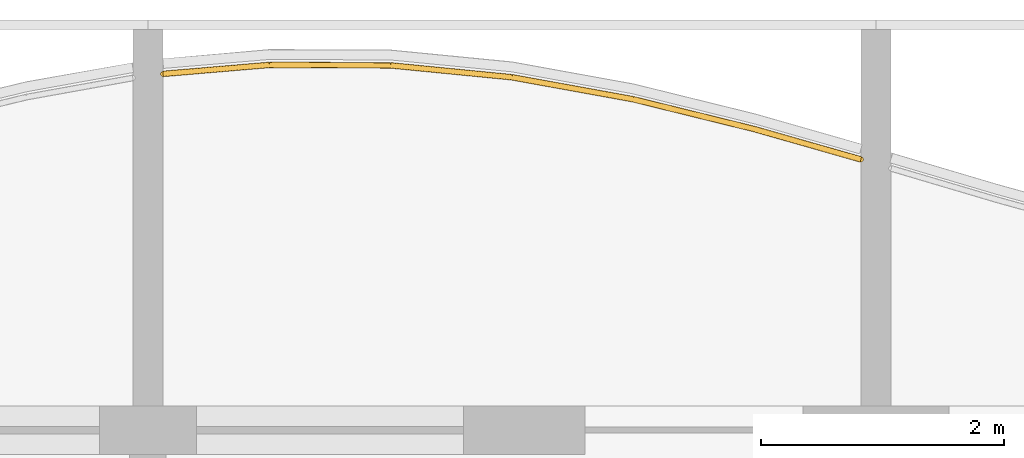
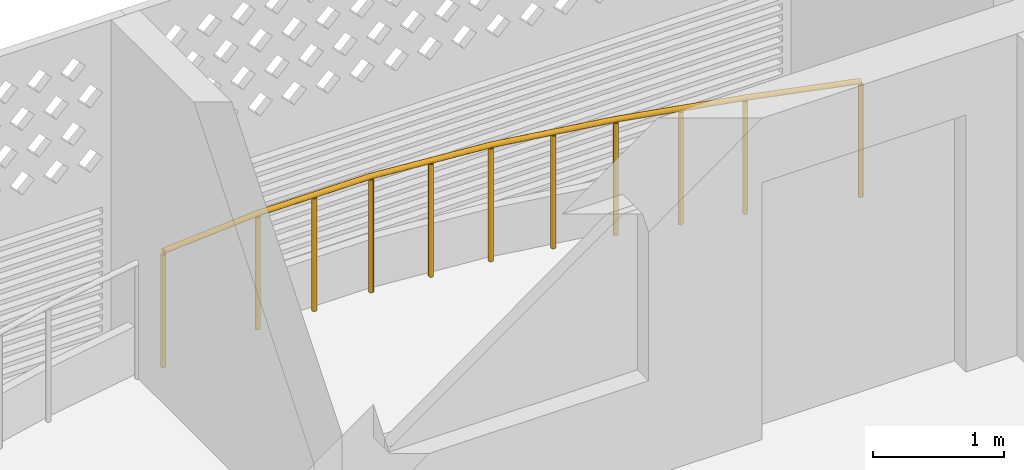
# One storey, part 19 of 32: 1 railing.
"""IFC4 building model written with IfcOpenShell, lengths in metres."""

from ifc_helpers import new_model, si_unit, direction, frame, origin, origin_2d, place, context, subcontext, project, spatial, circle, extrude, material, type_object, element, save


model = new_model("IFC4")

# Units and contexts
model_context = context("Model", 3, precision=1e-05, world=origin(), true_north=direction((0.0, 1.0)))
body_context = subcontext(model_context, "Body", "Model", "MODEL_VIEW")
ifc_project = project(units=[si_unit("LENGTHUNIT", "METRE"), si_unit("AREAUNIT", "SQUARE_METRE"), si_unit("VOLUMEUNIT", "CUBIC_METRE"), si_unit("PLANEANGLEUNIT", "RADIAN"), si_unit("MASSUNIT", "GRAM", prefix="KILO")], contexts=[model_context])

# Site, building, storey
site_placement = place(None, origin())
site = spatial("IfcSite", under=ifc_project, at=site_placement, CompositionType="ELEMENT")
building_placement = place(site_placement, origin())
building = spatial("IfcBuilding", under=site, at=building_placement, Name="Poui Terraces", CompositionType="ELEMENT")
storey_placement = place(building_placement, frame((0.0, 0.0, 155.39990234375)))
storey = spatial("IfcBuildingStorey", under=building, at=storey_placement, Name="L43", CompositionType="ELEMENT", Elevation=155.39990234375)

# Railing
ifc_material = material(Name="Painted steel fretwork", Category="steel")
railing_type = type_object("IfcRailingType", Name="BALCONY GUARD 1100", PredefinedType="GUARDRAIL", material=ifc_material)
railing_placement = place(storey_placement, frame((24.125, 45.3359375, 0.0)))
element("IfcRailing", 1, at=railing_placement, inside=storey, type_object=railing_type, Name="BALCONY GUARD", PredefinedType="GUARDRAIL", context=body_context, shape_type="SweptSolid", body=[
    extrude(circle(Radius=0.02392578125, at=origin_2d()), frame((0.0, 0.0, 1.076171875), z_axis=(0.996445334102, 0.08424189069, 0.0), x_axis=(-0.08424189069, 0.996445334102, 0.0)), (0.0, 0.0, 1.0), 0.878173828125),
    extrude(circle(Radius=0.02392578125, at=origin_2d()), frame((0.875, 0.073974609375, 1.076171875), z_axis=(0.999992370693, -0.003906220198, 0.0), x_axis=(0.003906220198, 0.999992370693, 0.0)), (0.0, 0.0, 1.0), 1.0),
    extrude(circle(Radius=0.02392578125, at=origin_2d()), frame((1.875, 0.070068359375, 1.076171875), z_axis=(0.995241932297, -0.097434573938, 0.0), x_axis=(0.097434573938, 0.995241932297, 0.0)), (0.0, 0.0, 1.0), 1.0048828125),
    extrude(circle(Radius=0.02392578125, at=origin_2d()), frame((2.875, -0.02783203125, 1.076171875), z_axis=(0.983942855126, -0.178483774746, 0.0), x_axis=(0.178483774746, 0.983942855126, 0.0)), (0.0, 0.0, 1.0), 1.016357421875),
    extrude(circle(Radius=0.02392578125, at=origin_2d()), frame((3.875, -0.209228515625, 1.076171875), z_axis=(0.970973389115, -0.239187536528, 0.0), x_axis=(0.239187536528, 0.970973389115, 0.0)), (0.0, 0.0, 1.0), 1.02978515625),
    extrude(circle(Radius=0.02392578125, at=origin_2d()), frame((4.875, -0.45556640625, 1.076171875), z_axis=(0.961736307653, -0.273976777376, 0.0), x_axis=(0.273976777376, 0.961736307653, 0.0)), (0.0, 0.0, 1.0), 0.909912109375),
    extrude(circle(Radius=0.02099609375, at=origin_2d()), origin(), (0.0, 0.0, 1.0), 1.052001953125),
    extrude(circle(Radius=0.02099609375, at=origin_2d()), frame((0.875, 0.073974609375, 0.0)), (0.0, 0.0, 1.0), 1.052001953125),
    extrude(circle(Radius=0.02099609375, at=origin_2d()), frame((1.375, 0.072021484375, 0.0)), (0.0, 0.0, 1.0), 1.052001953125),
    extrude(circle(Radius=0.02099609375, at=origin_2d()), frame((1.875, 0.070068359375, 0.0)), (0.0, 0.0, 1.0), 1.052001953125),
    extrude(circle(Radius=0.02099609375, at=origin_2d()), frame((2.375, 0.02099609375, 0.0)), (0.0, 0.0, 1.0), 1.052001953125),
    extrude(circle(Radius=0.02099609375, at=origin_2d()), frame((2.875, -0.02783203125, 0.0)), (0.0, 0.0, 1.0), 1.052001953125),
    extrude(circle(Radius=0.02099609375, at=origin_2d()), frame((3.375, -0.11865234375, 0.0)), (0.0, 0.0, 1.0), 1.052001953125),
    extrude(circle(Radius=0.02099609375, at=origin_2d()), frame((3.875, -0.209228515625, 0.0)), (0.0, 0.0, 1.0), 1.052001953125),
    extrude(circle(Radius=0.02099609375, at=origin_2d()), frame((4.375, -0.33251953125, 0.0)), (0.0, 0.0, 1.0), 1.052001953125),
    extrude(circle(Radius=0.02099609375, at=origin_2d()), frame((4.875, -0.45556640625, 0.0)), (0.0, 0.0, 1.0), 1.052001953125),
    extrude(circle(Radius=0.02099609375, at=origin_2d()), frame((5.75, -0.704833984375, 0.0)), (0.0, 0.0, 1.0), 1.052001953125),
])

save(model, "model.ifc")
